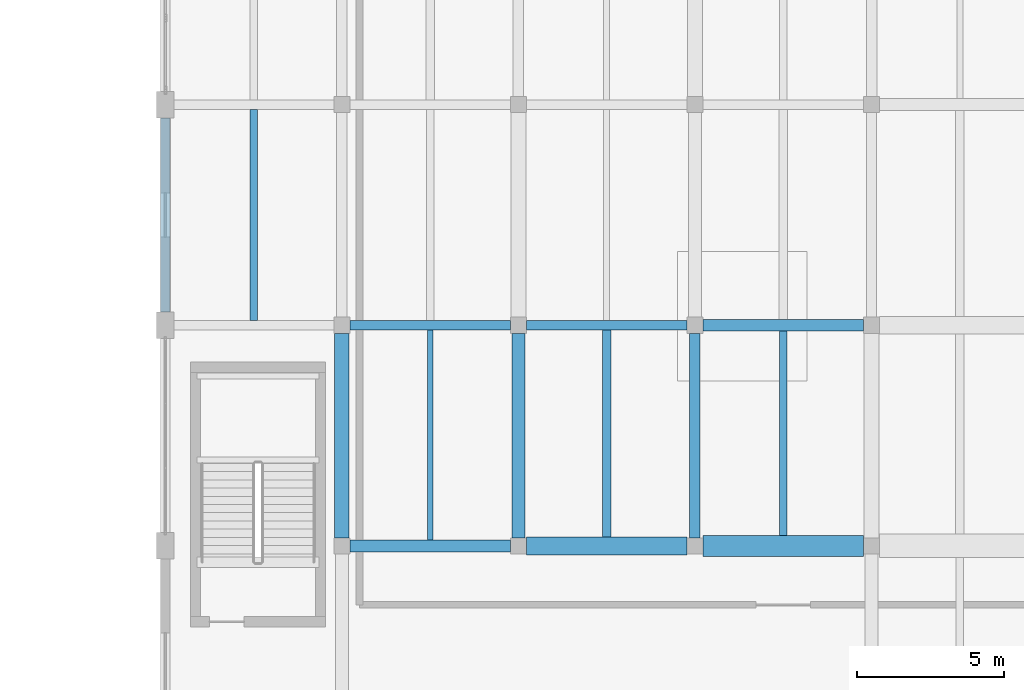
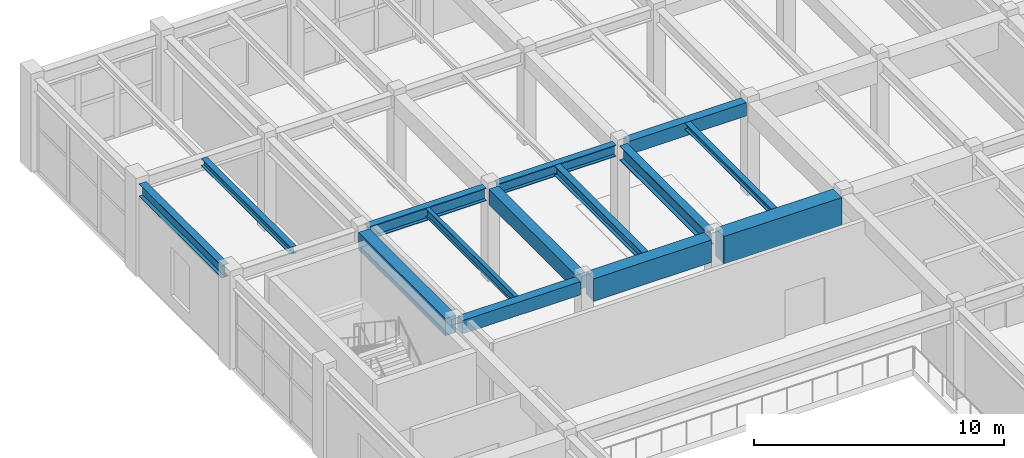
# One storey, part 35 of 96: 14 beams.
"""IFC4 building model written with IfcOpenShell, lengths in metres."""

from ifc_helpers import new_model, si_unit, direction, frame, origin, origin_2d, place, context, subcontext, project, spatial, rectangle, i_section, extrude, material, material_profile, profile_set, type_object, element, save


model = new_model("IFC4")

# Units and contexts
model_context = context("Model", 3, precision=1e-05, world=origin(), true_north=direction((0.0, 1.0)))
body_context = subcontext(model_context, "Body", "Model", "MODEL_VIEW")
ifc_project = project(units=[si_unit("LENGTHUNIT", "METRE"), si_unit("AREAUNIT", "SQUARE_METRE"), si_unit("VOLUMEUNIT", "CUBIC_METRE"), si_unit("PLANEANGLEUNIT", "RADIAN"), si_unit("MASSUNIT", "GRAM", prefix="KILO")], contexts=[model_context])

# Site, building, storey
site_placement = place(None, origin())
site = spatial("IfcSite", under=ifc_project, at=site_placement, CompositionType="ELEMENT")
building_placement = place(site_placement, origin())
building = spatial("IfcBuilding", under=site, at=building_placement, Name="Vaelkrest Opera House", CompositionType="ELEMENT")
storey_placement = place(building_placement, frame((0.0, 0.0, 5.39990234375)))
storey = spatial("IfcBuildingStorey", under=building, at=storey_placement, Name="L01", CompositionType="ELEMENT", Elevation=5.39990234375)

# Beams
ifc_material_1 = material(Name="Concrete C50/60", Category="concrete")
ifc_material_profile_1 = material_profile(ifc_material_1, rectangle(XDim=0.39990234375, YDim=0.64990234375, at=origin_2d()), Name="RCB400X650")
ifc_profile_set_1 = profile_set([ifc_material_profile_1], Name="Concrete C50/60")
beam_type_1 = type_object("IfcBeamType", Name="B01", PredefinedType="BEAM", material=ifc_profile_set_1)
for number, where, z_axis, x_axis, name in (
    (1, (-69.324951171875, 10.199951171875, 4.175048828125), (1.0, 0.0, 0.0), (0.0, 1.0, 0.0), "Beam BM-V3-L01-1525"),
    (2, (-57.324951171875, 17.699951171875, 4.175048828125), (1.0, 0.0, 0.0), (0.0, 1.0, 0.0), "Beam BM-V3-L01-1533"),
):
    element("IfcBeam", number, at=place(storey_placement, frame(where, z_axis=z_axis, x_axis=x_axis)), inside=storey, type_object=beam_type_1, Name=name, PredefinedType="BEAM", context=body_context, shape_type="SweptSolid", body=[
        extrude(rectangle(XDim=0.39990234375, YDim=0.64990234375, at=origin_2d()), origin(), (0.0, 0.0, 1.0), 5.449951171875),
    ])
ifc_material_profile_2 = material_profile(ifc_material_1, rectangle(XDim=0.449951171875, YDim=0.75, at=origin_2d()), Name="RCB450X750")
ifc_profile_set_2 = profile_set([ifc_material_profile_2], Name="Concrete C50/60")
beam_type_2 = type_object("IfcBeamType", Name="B02", PredefinedType="BEAM", material=ifc_profile_set_2)
beam_1_placement = place(storey_placement, frame((-63.60009765625, 10.47509765625, 4.125), z_axis=(0.0, 1.0, 0.0), x_axis=(-1.0, 0.0, 0.0)))
element("IfcBeam", 3, at=beam_1_placement, inside=storey, type_object=beam_type_2, Name="Beam BM-V3-L01-1563", PredefinedType="BEAM", context=body_context, shape_type="SweptSolid", body=[
    extrude(rectangle(XDim=0.449951171875, YDim=0.75, at=origin_2d()), origin(), (0.0, 0.0, 1.0), 6.949951171875),
])
ifc_material_profile_3 = material_profile(ifc_material_1, rectangle(XDim=0.5, YDim=0.85009765625, at=origin_2d()), Name="RCB500X850")
ifc_profile_set_3 = profile_set([ifc_material_profile_3], Name="Concrete C50/60")
beam_type_3 = type_object("IfcBeamType", Name="B03", PredefinedType="BEAM", material=ifc_profile_set_3)
beam_2_placement = place(storey_placement, frame((-69.60009765625, 10.47509765625, 4.0751953125), z_axis=(0.0, 1.0, 0.0), x_axis=(-1.0, 0.0, 0.0)))
element("IfcBeam", 4, at=beam_2_placement, inside=storey, type_object=beam_type_3, Name="Beam BM-V3-L01-1560", PredefinedType="BEAM", context=body_context, shape_type="SweptSolid", body=[
    extrude(rectangle(XDim=0.5, YDim=0.85009765625, at=origin_2d()), origin(), (0.0, 0.0, 1.0), 6.949951171875),
])
ifc_material_profile_4 = material_profile(ifc_material_1, rectangle(XDim=0.60009765625, YDim=1.10009765625, at=origin_2d()), Name="RCB600X1100")
ifc_profile_set_4 = profile_set([ifc_material_profile_4], Name="Concrete C50/60")
beam_type_4 = type_object("IfcBeamType", Name="B05", PredefinedType="BEAM", material=ifc_profile_set_4)
beam_3_placement = place(storey_placement, frame((-63.324951171875, 10.199951171875, 3.9501953125), z_axis=(1.0, 0.0, 0.0), x_axis=(0.0, 1.0, 0.0)))
element("IfcBeam", 5, at=beam_3_placement, inside=storey, type_object=beam_type_4, Name="Beam BM-V3-L01-1526", PredefinedType="BEAM", context=body_context, shape_type="SweptSolid", body=[
    extrude(rectangle(XDim=0.60009765625, YDim=1.10009765625, at=origin_2d()), origin(), (0.0, 0.0, 1.0), 5.449951171875),
])
ifc_material_profile_5 = material_profile(ifc_material_1, rectangle(XDim=0.699951171875, YDim=1.35009765625, at=origin_2d()), Name="RCB700X1350")
ifc_profile_set_5 = profile_set([ifc_material_profile_5], Name="Concrete C50/60")
beam_type_5 = type_object("IfcBeamType", Name="B06", PredefinedType="BEAM", material=ifc_profile_set_5)
beam_4_placement = place(storey_placement, frame((-57.324951171875, 10.199951171875, 3.8251953125), z_axis=(1.0, 0.0, 0.0), x_axis=(0.0, 1.0, 0.0)))
element("IfcBeam", 6, at=beam_4_placement, inside=storey, type_object=beam_type_5, Name="Beam BM-V3-L01-1527", PredefinedType="BEAM", context=body_context, shape_type="SweptSolid", body=[
    extrude(rectangle(XDim=0.699951171875, YDim=1.35009765625, at=origin_2d()), origin(), (0.0, 0.0, 1.0), 5.449951171875),
])
ifc_material_2 = material(Name="Steel A992 Gr50", Category="steel")
ifc_material_profile_6 = material_profile(ifc_material_2, i_section(OverallWidth=0.35791015625, OverallDepth=0.7060546875, WebThickness=0.018310546875, FlangeThickness=0.0302734375, at=origin_2d()), Name="W27X178")
ifc_profile_set_6 = profile_set([ifc_material_profile_6], Name="Steel A992 Gr50")
beam_type_6 = type_object("IfcBeamType", Name="B14", PredefinedType="BEAM", material=ifc_profile_set_6)
beam_5_placement = place(storey_placement, frame((-57.60009765625, 10.47509765625, 4.147216796875), z_axis=(0.0, 1.0, 0.0), x_axis=(-1.0, 0.0, 0.0)))
element("IfcBeam", 7, at=beam_5_placement, inside=storey, type_object=beam_type_6, Name="Beam BM-V3-L01-1566", PredefinedType="BEAM", context=body_context, shape_type="SweptSolid", body=[
    extrude(i_section(OverallWidth=0.35791015625, OverallDepth=0.7060546875, WebThickness=0.018310546875, FlangeThickness=0.0302734375, at=origin_2d()), origin(), (0.0, 0.0, 1.0), 6.949951171875),
])
ifc_material_profile_7 = material_profile(ifc_material_2, i_section(OverallWidth=0.326904296875, OverallDepth=0.6220703125, WebThickness=0.015380859375, FlangeThickness=0.0244140625, at=origin_2d()), Name="W24X131")
ifc_profile_set_7 = profile_set([ifc_material_profile_7], Name="Steel A992 Gr50")
beam_type_7 = type_object("IfcBeamType", Name="B19", PredefinedType="BEAM", material=ifc_profile_set_7)
beam_6_placement = place(storey_placement, frame((-69.324951171875, 17.699951171875, 4.189208984375), z_axis=(1.0, 0.0, 0.0), x_axis=(0.0, 1.0, 0.0)))
element("IfcBeam", 8, at=beam_6_placement, inside=storey, type_object=beam_type_7, Name="Beam BM-V3-L01-1531", PredefinedType="BEAM", context=body_context, shape_type="SweptSolid", body=[
    extrude(i_section(OverallWidth=0.326904296875, OverallDepth=0.6220703125, WebThickness=0.015380859375, FlangeThickness=0.0244140625, at=origin_2d()), origin(), (0.0, 0.0, 1.0), 5.449951171875),
])
ifc_material_profile_8 = material_profile(ifc_material_2, i_section(OverallWidth=0.31494140625, OverallDepth=0.551025390625, WebThickness=0.01513671875, FlangeThickness=0.0244140625, at=origin_2d()), Name="W21X122")
ifc_profile_set_8 = profile_set([ifc_material_profile_8], Name="Steel A992 Gr50")
beam_type_8 = type_object("IfcBeamType", Name="B20", PredefinedType="BEAM", material=ifc_profile_set_8)
beam_7_placement = place(storey_placement, frame((-63.324951171875, 17.699951171875, 4.224609375), z_axis=(1.0, 0.0, 0.0), x_axis=(0.0, 1.0, 0.0)))
element("IfcBeam", 9, at=beam_7_placement, inside=storey, type_object=beam_type_8, Name="Beam BM-V3-L01-1532", PredefinedType="BEAM", context=body_context, shape_type="SweptSolid", body=[
    extrude(i_section(OverallWidth=0.31494140625, OverallDepth=0.551025390625, WebThickness=0.01513671875, FlangeThickness=0.0244140625, at=origin_2d()), origin(), (0.0, 0.0, 1.0), 5.449951171875),
])
ifc_material_profile_9 = material_profile(ifc_material_2, i_section(OverallWidth=0.25390625, OverallDepth=0.305908203125, WebThickness=0.0087890625, FlangeThickness=0.0146484375, at=origin_2d()), Name="W12X53")
ifc_profile_set_9 = profile_set([ifc_material_profile_9], Name="Steel A992 Gr50")
beam_type_9 = type_object("IfcBeamType", Name="J03", PredefinedType="JOIST", material=ifc_profile_set_9)
beam_8_placement = place(storey_placement, frame((-54.60009765625, 10.550048828125, 4.34716796875), z_axis=(0.0, 1.0, 0.0), x_axis=(-1.0, 0.0, 0.0)))
element("IfcBeam", 10, at=beam_8_placement, inside=storey, type_object=beam_type_9, Name="Floor joist JST-V3-L01-1603", PredefinedType="JOIST", context=body_context, shape_type="SweptSolid", body=[
    extrude(i_section(OverallWidth=0.25390625, OverallDepth=0.305908203125, WebThickness=0.0087890625, FlangeThickness=0.0146484375, at=origin_2d()), origin(), (0.0, 0.0, 1.0), 6.949951171875),
])
ifc_material_profile_10 = material_profile(ifc_material_2, i_section(OverallWidth=0.2548828125, OverallDepth=0.35693359375, WebThickness=0.010498046875, FlangeThickness=0.018310546875, at=origin_2d()), Name="W14X68")
ifc_profile_set_10 = profile_set([ifc_material_profile_10], Name="Steel A992 Gr50")
beam_type_10 = type_object("IfcBeamType", Name="J05", PredefinedType="JOIST", material=ifc_profile_set_10)
beam_9_placement = place(storey_placement, frame((-72.60009765625, 17.864013671875, 4.321533203125), z_axis=(0.0, 1.0, 0.0), x_axis=(-1.0, 0.0, 0.0)))
element("IfcBeam", 11, at=beam_9_placement, inside=storey, type_object=beam_type_10, Name="Floor joist JST-V3-L01-1595", PredefinedType="JOIST", context=body_context, shape_type="SweptSolid", body=[
    extrude(i_section(OverallWidth=0.2548828125, OverallDepth=0.35693359375, WebThickness=0.010498046875, FlangeThickness=0.018310546875, at=origin_2d()), origin(), (0.0, 0.0, 1.0), 7.174072265625),
])
ifc_material_profile_11 = material_profile(ifc_material_2, i_section(OverallWidth=0.180908203125, OverallDepth=0.4169921875, WebThickness=0.010986328125, FlangeThickness=0.018310546875, at=origin_2d()), Name="W16X57")
ifc_profile_set_11 = profile_set([ifc_material_profile_11], Name="Steel A992 Gr50")
beam_type_11 = type_object("IfcBeamType", Name="J07", PredefinedType="JOIST", material=ifc_profile_set_11)
beam_10_placement = place(storey_placement, frame((-66.60009765625, 10.39990234375, 4.29150390625), z_axis=(0.0, 1.0, 0.0), x_axis=(-1.0, 0.0, 0.0)))
element("IfcBeam", 12, at=beam_10_placement, inside=storey, type_object=beam_type_11, Name="Floor joist JST-V3-L01-1597", PredefinedType="JOIST", context=body_context, shape_type="SweptSolid", body=[
    extrude(i_section(OverallWidth=0.180908203125, OverallDepth=0.4169921875, WebThickness=0.010986328125, FlangeThickness=0.018310546875, at=origin_2d()), origin(), (0.0, 0.0, 1.0), 7.13671875),
])
ifc_material_profile_12 = material_profile(ifc_material_2, i_section(OverallWidth=0.282958984375, OverallDepth=0.471923828125, WebThickness=0.013671875, FlangeThickness=0.022216796875, at=origin_2d()), Name="W18X97")
ifc_profile_set_12 = profile_set([ifc_material_profile_12], Name="Steel A992 Gr50")
beam_type_12 = type_object("IfcBeamType", Name="J10", PredefinedType="JOIST", material=ifc_profile_set_12)
beam_11_placement = place(storey_placement, frame((-60.60009765625, 10.5, 4.26416015625), z_axis=(0.0, 1.0, 0.0), x_axis=(-1.0, 0.0, 0.0)))
element("IfcBeam", 13, at=beam_11_placement, inside=storey, type_object=beam_type_12, Name="Floor joist JST-V3-L01-1600", PredefinedType="JOIST", context=body_context, shape_type="SweptSolid", body=[
    extrude(i_section(OverallWidth=0.282958984375, OverallDepth=0.471923828125, WebThickness=0.013671875, FlangeThickness=0.022216796875, at=origin_2d()), origin(), (0.0, 0.0, 1.0), 7.04248046875),
])
ifc_material_profile_13 = material_profile(ifc_material_2, i_section(OverallWidth=0.323974609375, OverallDepth=0.611083984375, WebThickness=0.0126953125, FlangeThickness=0.01904296875, at=origin_2d()), Name="W24X104")
ifc_profile_set_13 = profile_set([ifc_material_profile_13], Name="Steel A992 Gr50")
beam_type_13 = type_object("IfcBeamType", Name="SP01", PredefinedType="SPANDREL", material=ifc_profile_set_13)
beam_12_placement = place(storey_placement, frame((-75.60009765625, 18.14990234375, 4.194580078125), z_axis=(0.0, 1.0, 0.0), x_axis=(-1.0, 0.0, 0.0)))
element("IfcBeam", 14, at=beam_12_placement, inside=storey, type_object=beam_type_13, Name="Beam BM-V3-L01-1555", PredefinedType="SPANDREL", context=body_context, shape_type="SweptSolid", body=[
    extrude(i_section(OverallWidth=0.323974609375, OverallDepth=0.611083984375, WebThickness=0.0126953125, FlangeThickness=0.01904296875, at=origin_2d()), origin(), (0.0, 0.0, 1.0), 6.60009765625),
])

save(model, "model.ifc")
